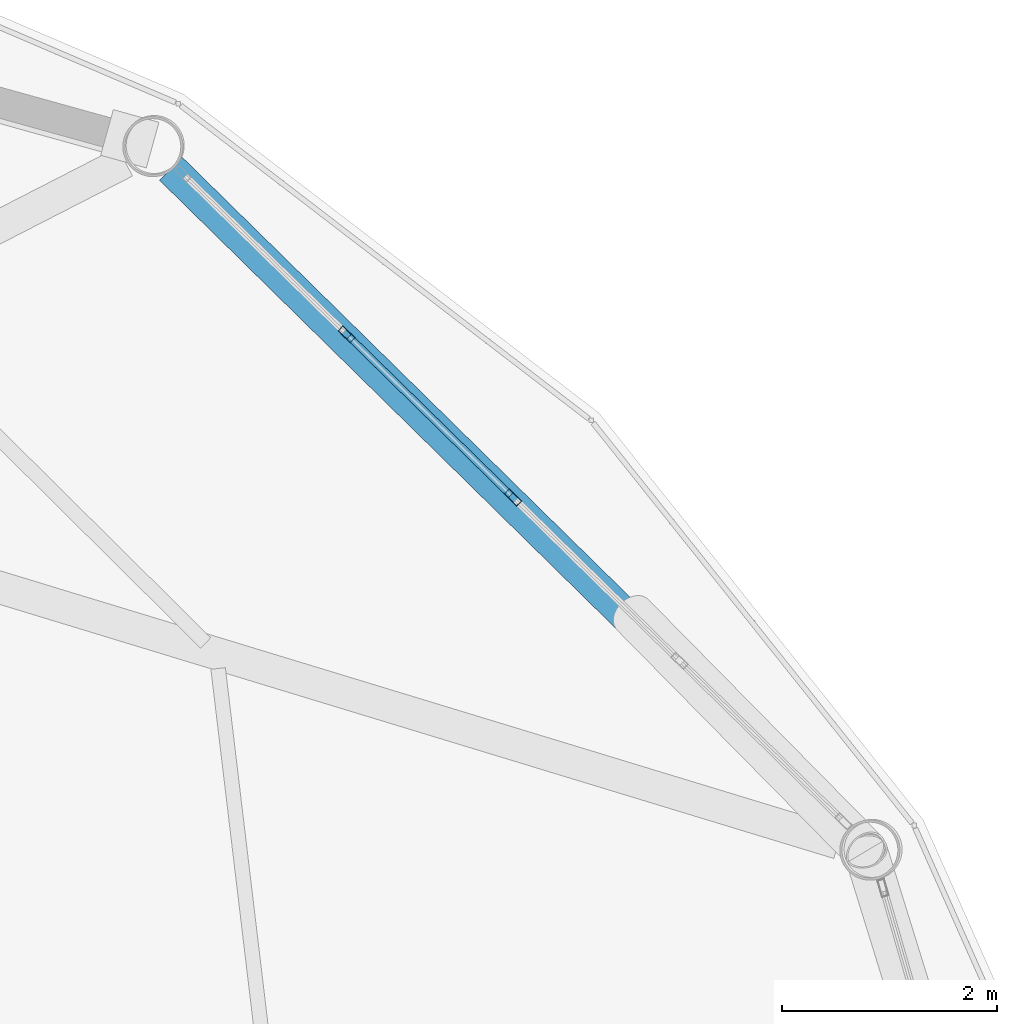
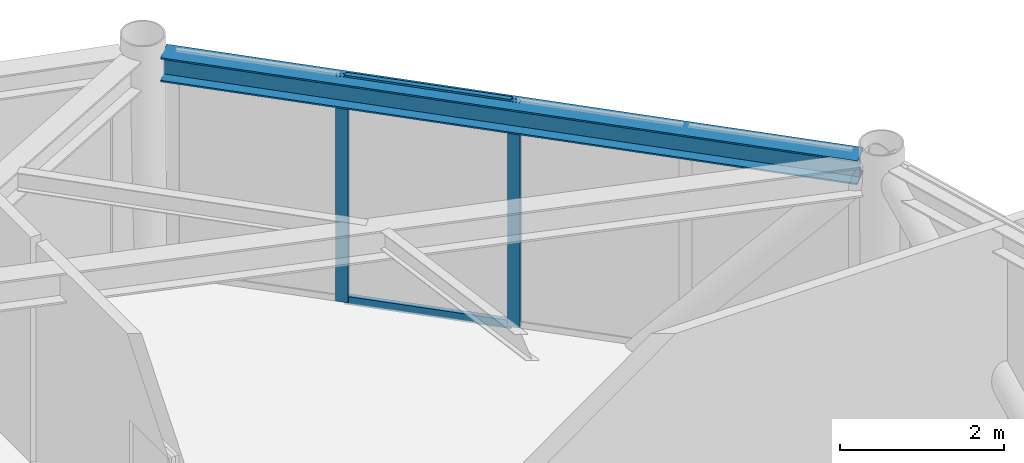
# One storey, part 15 of 26: 4 members, 1 beam, 1 element without a shape of its own.
"""IFC4 building model written with IfcOpenShell, lengths in metres."""

from ifc_helpers import new_model, si_unit, direction, frame, origin, origin_2d, place, context, subcontext, project, spatial, hollow_rectangle, i_section, extrude, material, layer, layer_set, material_profile, profile_set, type_object, element, aggregate, save


model = new_model("IFC4")

# Units and contexts
model_context = context("Model", 3, precision=1e-05, world=origin(), true_north=direction((0.0, 1.0)))
body_context = subcontext(model_context, "Body", "Model", "MODEL_VIEW")
ifc_project = project(units=[si_unit("LENGTHUNIT", "METRE"), si_unit("AREAUNIT", "SQUARE_METRE"), si_unit("VOLUMEUNIT", "CUBIC_METRE"), si_unit("PLANEANGLEUNIT", "RADIAN"), si_unit("MASSUNIT", "GRAM", prefix="KILO")], contexts=[model_context])

# Site, building, storey
site_placement = place(None, origin())
site = spatial("IfcSite", under=ifc_project, at=site_placement, CompositionType="ELEMENT")
building_placement = place(site_placement, origin())
building = spatial("IfcBuilding", under=site, at=building_placement, Name="Varnakorn Sky Granary", CompositionType="ELEMENT")
storey_placement = place(building_placement, frame((0.0, 0.0, 256.199951171875)))
storey = spatial("IfcBuildingStorey", under=building, at=storey_placement, Name="L65", CompositionType="ELEMENT", Elevation=256.199951171875)

# Beam
ifc_material_1 = material(Name="Steel S355JR", Category="steel")
ifc_material_profile_1 = material_profile(ifc_material_1, i_section(OverallWidth=0.300048828125, OverallDepth=0.360107421875, WebThickness=0.012451171875, FlangeThickness=0.0224609375, at=origin_2d()), Name="HE 360 B")
ifc_profile_set_1 = profile_set([ifc_material_profile_1], Name="Steel S355JR")
beam_type = type_object("IfcBeamType", Name="BM-SPD-Z5", PredefinedType="SPANDREL", material=ifc_profile_set_1)
beam_placement = place(storey_placement, frame((20.3857421875, 9.103515625, 3.179931640625), z_axis=(-0.713399543588, 0.700757512417, 0.0), x_axis=(-0.700757512417, -0.713399543588, 0.0)))
element("IfcBeam", 1, at=beam_placement, inside=storey, type_object=beam_type, Name="Perimeter Spandrel Ring Beam RB02 L65", PredefinedType="SPANDREL", context=body_context, shape_type="SweptSolid", body=[
    extrude(i_section(OverallWidth=0.300048828125, OverallDepth=0.360107421875, WebThickness=0.012451171875, FlangeThickness=0.0224609375, at=origin_2d()), origin(), (0.0, 0.0, 1.0), 8.786865234375),
])

# Curtain wall, members
ifc_material_2 = material(Name="Anodised Bronze Aluminium Alloy 6063-T6", Category="aluminium")
ifc_layer = layer(ifc_material_2, 0.159912109375, Name="Anodised Bronze Aluminium Alloy 6063-T6")
ifc_layer_set = layer_set([ifc_layer], Name="Anodised Bronze Aluminium Alloy 6063-T6")
curtain_wall_type = type_object("IfcCurtainWallType", Name="CW-OFF-1", PredefinedType="USERDEFINED", material=ifc_layer_set)
curtain_wall_placement = place(storey_placement, origin())
curtain_wall = element("IfcCurtainWall", 2, at=curtain_wall_placement, inside=storey, type_object=curtain_wall_type, Name="Unitised Curtain Wall CW6 CW-L65-B02", ObjectType="CURTAIN WALL", PredefinedType="USERDEFINED")
ifc_material_profile_2 = material_profile(ifc_material_2, hollow_rectangle(XDim=0.06494140625, YDim=0.159912109375, WallThickness=0.00341796875, at=origin_2d()), Name="ALU MULL 65x160")
ifc_profile_set_2 = profile_set([ifc_material_profile_2], Name="Anodised Bronze Aluminium Alloy 6063-T6")
member_type_1 = type_object("IfcMemberType", Name="CW-OFF-1-MULL", PredefinedType="MULLION", material=ifc_profile_set_2)
member_1_placement = place(storey_placement, frame((15.75146484375, 13.721923828125, 0.0), z_axis=(0.0, 0.0, 1.0), x_axis=(0.700118147913, 0.71402701557, 0.0)))
member_1 = element("IfcMember", 3, at=member_1_placement, type_object=member_type_1, Name="CW6 mullion 2", PredefinedType="MULLION", context=body_context, shape_type="SweptSolid", body=[
    extrude(hollow_rectangle(XDim=0.06494140625, YDim=0.159912109375, WallThickness=0.00341796875, at=origin_2d()), origin(), (0.0, 0.0, 1.0), 3.360107421875),
])
member_2_placement = place(storey_placement, frame((17.2978515625, 12.20556640625, 0.0), z_axis=(0.0, 0.0, 1.0), x_axis=(0.700118147913, 0.71402701557, 0.0)))
member_2 = element("IfcMember", 4, at=member_2_placement, type_object=member_type_1, Name="CW6 mullion 3", PredefinedType="MULLION", context=body_context, shape_type="SweptSolid", body=[
    extrude(hollow_rectangle(XDim=0.06494140625, YDim=0.159912109375, WallThickness=0.00341796875, at=origin_2d()), origin(), (0.0, 0.0, 1.0), 3.360107421875),
])
ifc_material_profile_3 = material_profile(ifc_material_2, hollow_rectangle(XDim=0.06494140625, YDim=0.1201171875, WallThickness=0.00341796875, at=origin_2d()), Name="ALU TRAN 65x120")
ifc_profile_set_3 = profile_set([ifc_material_profile_3], Name="Anodised Bronze Aluminium Alloy 6063-T6")
member_type_2 = type_object("IfcMemberType", Name="CW-OFF-1-TRAN", PredefinedType="USERDEFINED", material=ifc_profile_set_3)
member_3_placement = place(storey_placement, frame((15.774658203125, 13.698974609375, 0.032470703125), z_axis=(0.714045498468, -0.700099297326, 0.0), x_axis=(0.700099297326, 0.714045498468, 0.0)))
member_3 = element("IfcMember", 5, at=member_3_placement, type_object=member_type_2, Name="CW6 transom 2.1", ObjectType="TRANSOM", PredefinedType="USERDEFINED", context=body_context, shape_type="SweptSolid", body=[
    extrude(hollow_rectangle(XDim=0.06494140625, YDim=0.1201171875, WallThickness=0.00341796875, at=origin_2d()), origin(), (0.0, 0.0, 1.0), 2.1005859375),
])
member_4_placement = place(storey_placement, frame((15.774658203125, 13.698974609375, 3.32763671875), z_axis=(0.714045498468, -0.700099297326, 0.0), x_axis=(0.700099297326, 0.714045498468, 0.0)))
member_4 = element("IfcMember", 6, at=member_4_placement, type_object=member_type_2, Name="CW6 transom 2.2", ObjectType="TRANSOM", PredefinedType="USERDEFINED", context=body_context, shape_type="SweptSolid", body=[
    extrude(hollow_rectangle(XDim=0.06494140625, YDim=0.1201171875, WallThickness=0.00341796875, at=origin_2d()), origin(), (0.0, 0.0, 1.0), 2.1005859375),
])
aggregate(curtain_wall, [member_1, member_2, member_3, member_4])

save(model, "model.ifc")
